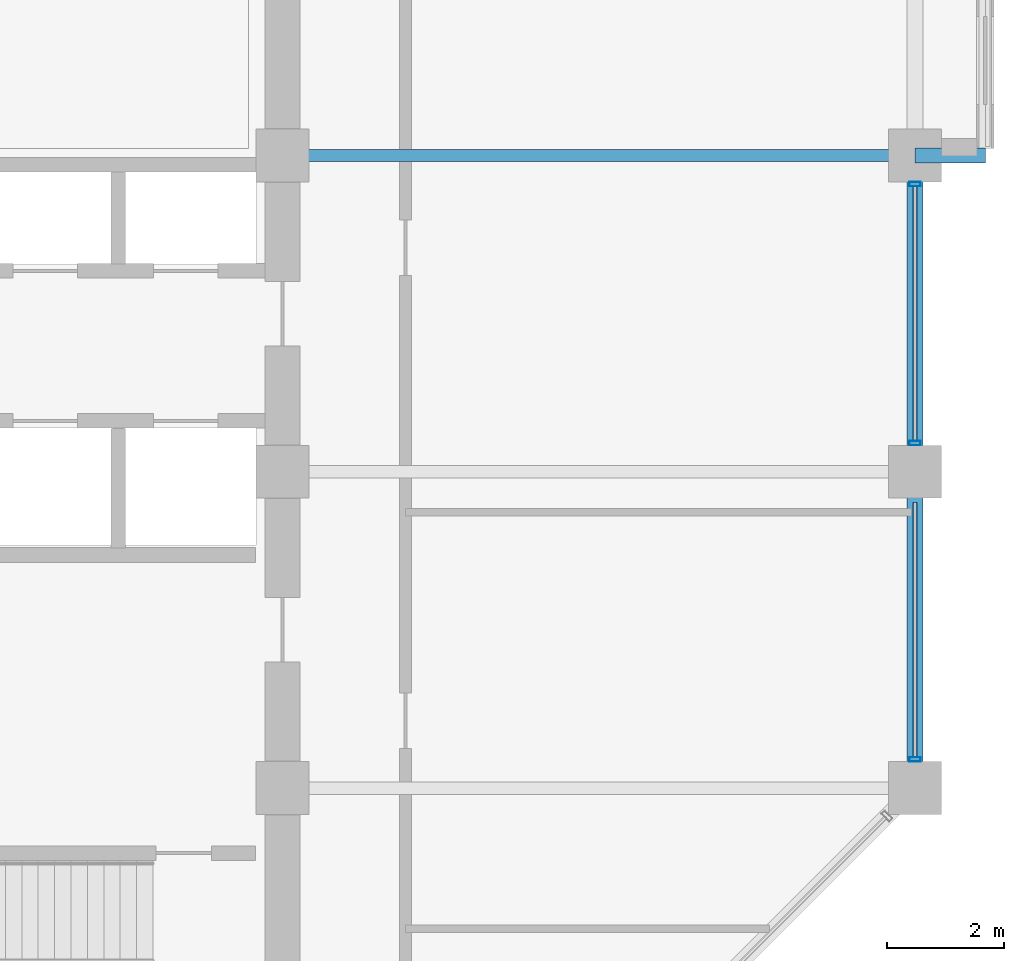
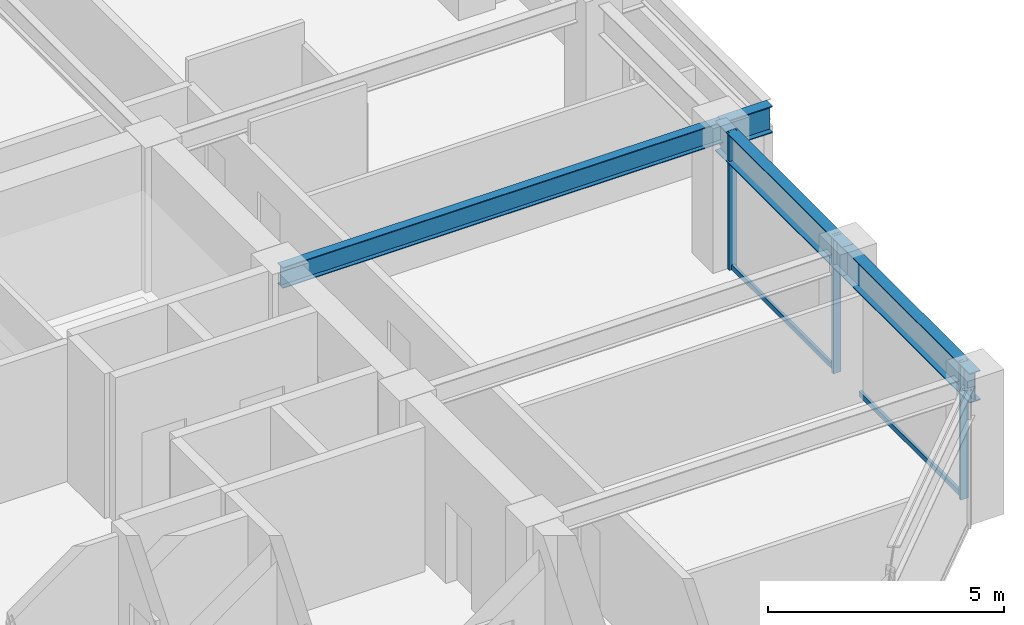
# One storey, part 14 of 32: 5 members, 4 beams, 1 element without a shape of its own.
"""IFC4 building model written with IfcOpenShell, lengths in metres."""

from ifc_helpers import new_model, si_unit, direction, frame, origin, origin_2d, place, context, subcontext, project, spatial, hollow_rectangle, i_section, extrude, material, layer, layer_set, material_profile, profile_set, type_object, element, aggregate, save


model = new_model("IFC4")

# Units and contexts
model_context = context("Model", 3, precision=1e-05, world=origin(), true_north=direction((0.0, 1.0)))
body_context = subcontext(model_context, "Body", "Model", "MODEL_VIEW")
ifc_project = project(units=[si_unit("LENGTHUNIT", "METRE"), si_unit("AREAUNIT", "SQUARE_METRE"), si_unit("VOLUMEUNIT", "CUBIC_METRE"), si_unit("PLANEANGLEUNIT", "RADIAN"), si_unit("MASSUNIT", "GRAM", prefix="KILO")], contexts=[model_context])

# Site, building, storey
site_placement = place(None, origin())
site = spatial("IfcSite", under=ifc_project, at=site_placement, CompositionType="ELEMENT")
building_placement = place(site_placement, origin())
building = spatial("IfcBuilding", under=site, at=building_placement, Name="Surkhivell Harbour Commons", CompositionType="ELEMENT")
storey_placement = place(building_placement, frame((0.0, 0.0, 189.75)))
storey = spatial("IfcBuildingStorey", under=building, at=storey_placement, Name="L49", CompositionType="ELEMENT", Elevation=189.75)

# Beams
ifc_material_1 = material(Name="Steel S460", Category="steel")
ifc_material_profile_1 = material_profile(ifc_material_1, i_section(OverallWidth=0.256103515625, OverallDepth=0.693115234375, WebThickness=0.014404296875, FlangeThickness=0.023681640625, at=origin_2d()), Name="UB686x254x170")
ifc_profile_set_1 = profile_set([ifc_material_profile_1], Name="Steel S460")
beam_type_1 = type_object("IfcBeamType", Name="BM-CNT-686", PredefinedType="BEAM", material=ifc_profile_set_1)
beam_1_placement = place(storey_placement, frame((21.60009765625, 5.39990234375, 3.223388671875), z_axis=(1.0, 0.0, 0.0), x_axis=(0.0, 1.0, 0.0)))
element("IfcBeam", 1, at=beam_1_placement, inside=storey, type_object=beam_type_1, Name="L49 Box Cantilever Outrigger (21.6,5.4)", PredefinedType="BEAM", context=body_context, shape_type="SweptSolid", body=[
    extrude(i_section(OverallWidth=0.256103515625, OverallDepth=0.693115234375, WebThickness=0.014404296875, FlangeThickness=0.023681640625, at=origin_2d()), origin(), (0.0, 0.0, 1.0), 1.199951171875),
])
ifc_material_2 = material(Name="Steel S355", Category="steel")
ifc_material_profile_2 = material_profile(ifc_material_2, i_section(OverallWidth=0.2119140625, OverallDepth=0.5439453125, WebThickness=0.0126953125, FlangeThickness=0.021240234375, at=origin_2d()), Name="UB533x210x122")
ifc_profile_set_2 = profile_set([ifc_material_profile_2], Name="Steel S355")
beam_type_2 = type_object("IfcBeamType", Name="BM-GRD-533A", PredefinedType="BEAM", material=ifc_profile_set_2)
beam_2_placement = place(storey_placement, frame((10.800048828125, 5.39990234375, 3.298095703125), z_axis=(1.0, 0.0, 0.0), x_axis=(0.0, 1.0, 0.0)))
element("IfcBeam", 2, at=beam_2_placement, inside=storey, type_object=beam_type_2, Name="L49 Floor Girder (10.8,5.4)", PredefinedType="BEAM", context=body_context, shape_type="SweptSolid", body=[
    extrude(i_section(OverallWidth=0.2119140625, OverallDepth=0.5439453125, WebThickness=0.0126953125, FlangeThickness=0.021240234375, at=origin_2d()), origin(), (0.0, 0.0, 1.0), 10.800048828125),
])
ifc_material_profile_3 = material_profile(ifc_material_2, i_section(OverallWidth=0.26806640625, OverallDepth=0.77001953125, WebThickness=0.015625, FlangeThickness=0.025390625, at=origin_2d()), Name="UB762x267x197")
ifc_profile_set_3 = profile_set([ifc_material_profile_3], Name="Steel S355")
beam_type_3 = type_object("IfcBeamType", Name="BM-SPN-762", PredefinedType="SPANDREL", material=ifc_profile_set_3)
for number, where, z_axis, x_axis, name in (
    (3, (21.60009765625, -5.39990234375, 3.18505859375), (0.0, 1.0, 0.0), (-1.0, 0.0, 0.0), "L49 Tube Spandrel (21.6,-5.4)"),
    (4, (21.60009765625, 0.0, 3.18505859375), (0.0, 1.0, 0.0), (-1.0, 0.0, 0.0), "L49 Tube Spandrel (21.6,0.0)"),
):
    element("IfcBeam", number, at=place(storey_placement, frame(where, z_axis=z_axis, x_axis=x_axis)), inside=storey, type_object=beam_type_3, Name=name, PredefinedType="SPANDREL", context=body_context, shape_type="SweptSolid", body=[
        extrude(i_section(OverallWidth=0.26806640625, OverallDepth=0.77001953125, WebThickness=0.015625, FlangeThickness=0.025390625, at=origin_2d()), origin(), (0.0, 0.0, 1.0), 5.39990234375),
    ])

# Curtain wall, members
ifc_material_3 = material(Name="Anodised pale-metal aluminium and insulated glazing", Category="aluminium")
ifc_layer = layer(ifc_material_3, 0.18994140625)
ifc_layer_set = layer_set([ifc_layer], Name="Anodised pale-metal aluminium and insulated glazing")
curtain_wall_type = type_object("IfcCurtainWallType", Name="CW-SYS-Z3", PredefinedType="NOTDEFINED", material=ifc_layer_set)
curtain_wall_placement = place(storey_placement, origin())
curtain_wall = element("IfcCurtainWall", 5, at=curtain_wall_placement, inside=storey, type_object=curtain_wall_type, Name="L49 Curtain Wall CW-L49-E02R1", PredefinedType="NOTDEFINED")
ifc_material_4 = material(Name="Anodised pale-metal aluminium alloy 6063-T6", Category="aluminium")
ifc_material_profile_4 = material_profile(ifc_material_4, hollow_rectangle(XDim=0.074951171875, YDim=0.18994140625, WallThickness=0.00390625, at=origin_2d()), Name="ALU-MULL-75x190")
ifc_profile_set_4 = profile_set([ifc_material_profile_4], Name="Anodised pale-metal aluminium alloy 6063-T6")
member_type_1 = type_object("IfcMemberType", Name="CWM-190", PredefinedType="MULLION", material=ifc_profile_set_4)
member_1_placement = place(storey_placement, frame((21.60009765625, -4.910400390625, 0.0), z_axis=(0.0, 0.0, 1.0), x_axis=(0.0, 1.0, 0.0)))
member_1 = element("IfcMember", 6, at=member_1_placement, type_object=member_type_1, Name="CW-Z3 mullion 1", PredefinedType="MULLION", context=body_context, shape_type="SweptSolid", body=[
    extrude(hollow_rectangle(XDim=0.074951171875, YDim=0.18994140625, WallThickness=0.00390625, at=origin_2d()), origin(), (0.0, 0.0, 1.0), 3.570068359375),
])
member_2_placement = place(storey_placement, frame((21.60009765625, 0.489501953125, 0.0), z_axis=(0.0, 0.0, 1.0), x_axis=(0.0, 1.0, 0.0)))
member_2 = element("IfcMember", 7, at=member_2_placement, type_object=member_type_1, Name="CW-Z3 mullion 2", PredefinedType="MULLION", context=body_context, shape_type="SweptSolid", body=[
    extrude(hollow_rectangle(XDim=0.074951171875, YDim=0.18994140625, WallThickness=0.00390625, at=origin_2d()), origin(), (0.0, 0.0, 1.0), 3.570068359375),
])
member_3_placement = place(storey_placement, frame((21.60009765625, 4.910400390625, 0.0), z_axis=(0.0, 0.0, 1.0), x_axis=(0.0, 1.0, 0.0)))
member_3 = element("IfcMember", 8, at=member_3_placement, type_object=member_type_1, Name="CW-Z3 mullion 3", PredefinedType="MULLION", context=body_context, shape_type="SweptSolid", body=[
    extrude(hollow_rectangle(XDim=0.074951171875, YDim=0.18994140625, WallThickness=0.00390625, at=origin_2d()), origin(), (0.0, 0.0, 1.0), 3.570068359375),
])
ifc_material_5 = material(Name="Champagne anodised aluminium alloy 6063-T6", Category="aluminium")
ifc_material_profile_5 = material_profile(ifc_material_5, hollow_rectangle(XDim=0.070068359375, YDim=0.1298828125, WallThickness=0.00341796875, at=origin_2d()), Name="ALU-TRAN-70x130")
ifc_profile_set_5 = profile_set([ifc_material_profile_5], Name="Champagne anodised aluminium alloy 6063-T6")
member_type_2 = type_object("IfcMemberType", Name="CWT-130", PredefinedType="USERDEFINED", material=ifc_profile_set_5)
member_4_placement = place(storey_placement, frame((21.60009765625, -4.873046875, 0.06494140625), z_axis=(0.0, 1.0, 0.0), x_axis=(-1.0, 0.0, 0.0)))
member_4 = element("IfcMember", 9, at=member_4_placement, type_object=member_type_2, Name="CW-Z3 transom 1.1", ObjectType="TRANSOM", PredefinedType="USERDEFINED", context=body_context, shape_type="SweptSolid", body=[
    extrude(hollow_rectangle(XDim=0.070068359375, YDim=0.1298828125, WallThickness=0.00341796875, at=origin_2d()), origin(), (0.0, 0.0, 1.0), 4.345947265625),
])
member_5_placement = place(storey_placement, frame((21.60009765625, 0.527099609375, 0.06494140625), z_axis=(0.0, 1.0, 0.0), x_axis=(-1.0, 0.0, 0.0)))
member_5 = element("IfcMember", 10, at=member_5_placement, type_object=member_type_2, Name="CW-Z3 transom 2.1", ObjectType="TRANSOM", PredefinedType="USERDEFINED", context=body_context, shape_type="SweptSolid", body=[
    extrude(hollow_rectangle(XDim=0.070068359375, YDim=0.1298828125, WallThickness=0.00341796875, at=origin_2d()), origin(), (0.0, 0.0, 1.0), 4.345947265625),
])
aggregate(curtain_wall, [member_1, member_4, member_2, member_3, member_5])

save(model, "model.ifc")
